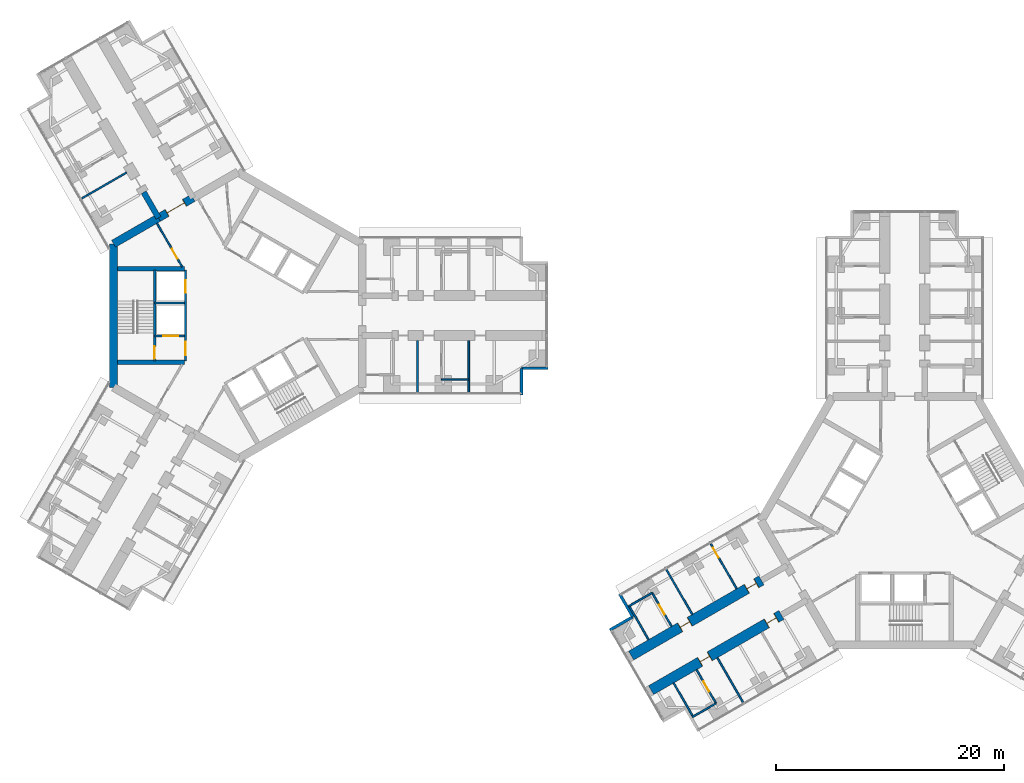
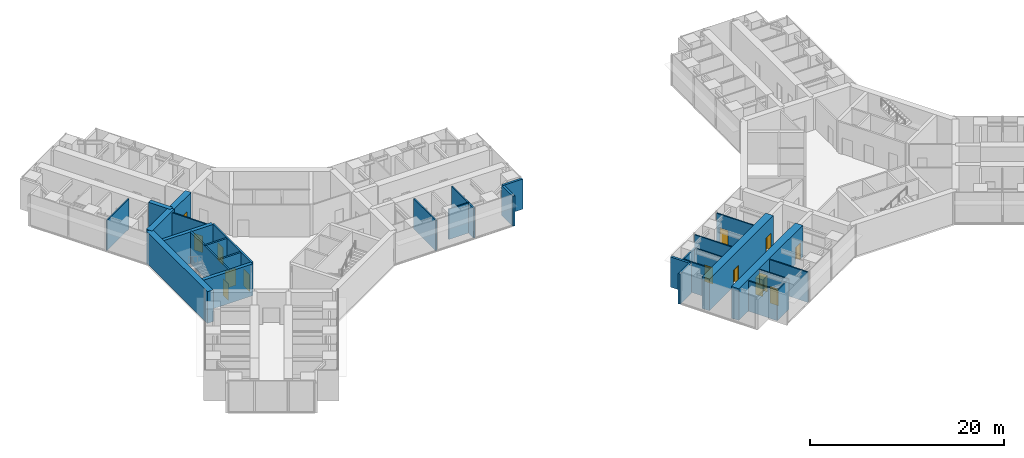
# One storey, part 17 of 24: 30 walls, 13 doors, 13 openings.
"""IFC4 building model written with IfcOpenShell, lengths in metres."""

from ifc_helpers import new_model, si_unit, direction, frame, frame_2d, origin, place, context, subcontext, project, spatial, rectangle, extrude, material, layer, layer_set, type_object, element, fill, save


model = new_model("IFC4")

# Units and contexts
model_context = context("Model", 3, precision=1e-05, world=origin(), true_north=direction((0.0, 1.0)))
body_context = subcontext(model_context, "Body", "Model", "MODEL_VIEW")
ifc_project = project(units=[si_unit("LENGTHUNIT", "METRE"), si_unit("AREAUNIT", "SQUARE_METRE"), si_unit("VOLUMEUNIT", "CUBIC_METRE"), si_unit("PLANEANGLEUNIT", "RADIAN"), si_unit("MASSUNIT", "GRAM", prefix="KILO")], contexts=[model_context])

# Site, building, storey
site_placement = place(None, origin())
site = spatial("IfcSite", under=ifc_project, at=site_placement, CompositionType="ELEMENT")
building_placement = place(site_placement, origin())
building = spatial("IfcBuilding", under=site, at=building_placement, Name="Upepo Twin Towers", CompositionType="ELEMENT")
storey_placement = place(building_placement, frame((0.0, 0.0, 60.5)))
storey = spatial("IfcBuildingStorey", under=building, at=storey_placement, Name="L14", CompositionType="ELEMENT", Elevation=60.5)

# Wall
ifc_material_1 = material(Name="Concrete C60/75", Category="concrete")
ifc_layer_1 = layer(ifc_material_1, 0.5)
ifc_layer_set_1 = layer_set([ifc_layer_1], Name="Concrete C60/75")
wall_type_1 = type_object("IfcWallType", Name="Buttress wall 500 RC", PredefinedType="SHEAR", material=ifc_layer_set_1)
wall_1_placement = place(storey_placement, frame((-6.9697265625, 8.57177734375, 0.0), z_axis=(0.0, 0.0, 1.0), x_axis=(-0.499988811324, 0.866031863473, 0.0)))
element("IfcWall", 1, at=wall_1_placement, inside=storey, type_object=wall_type_1, Name="T1 wing B buttress wall L", PredefinedType="SHEAR", context=body_context, shape_type="SweptSolid", body=[
    extrude(rectangle(XDim=2.591796875, YDim=0.5, at=frame_2d((1.2958984375, 0.0))), origin(), (0.0, 0.0, 1.0), 4.0),
])

# Wall, openings, doors
ifc_material_2 = material(Name="Concrete C60/75", Category="concrete")
ifc_layer_2 = layer(ifc_material_2, 0.89990234375)
ifc_layer_set_2 = layer_set([ifc_layer_2], Name="Concrete C60/75")
wall_type_2 = type_object("IfcWallType", Name="Buttress wall 900 RC", PredefinedType="SHEAR", material=ifc_layer_set_2)
wall_2_placement = place(storey_placement, frame((47.68359375, -26.265625, 0.0), z_axis=(0.0, 0.0, 1.0), x_axis=(-0.866027579429, -0.499996231654, 0.0)))
wall_2 = element("IfcWall", 2, at=wall_2_placement, inside=storey, type_object=wall_type_2, Name="T2 wing B buttress wall L part 2", PredefinedType="SHEAR", context=body_context, shape_type="SweptSolid", body=[
    extrude(rectangle(XDim=13.19970703125, YDim=0.89990234375, at=frame_2d((6.599853515625, 0.0))), origin(), (0.0, 0.0, 1.0), 4.0),
])
opening_1_placement = place(wall_2_placement, frame((0.5, 0.0, 0.0)))
opening_1 = element("IfcOpeningElement", 3, at=opening_1_placement, cuts=wall_2, Name="Opening D1", PredefinedType="OPENING", context=body_context, shape_type="SweptSolid", body=[
    extrude(rectangle(XDim=1.0, YDim=2.10009765625, at=frame_2d((0.5, 1.050048828125))), frame((0.0, 0.4599609375, 0.0), z_axis=(0.0, -1.0, 0.0), x_axis=(1.0, 0.0, 0.0)), (0.0, 0.0, 1.0), 0.919921875),
])
opening_2_placement = place(wall_2_placement, frame((7.25, 0.0, 0.0)))
opening_2 = element("IfcOpeningElement", 4, at=opening_2_placement, cuts=wall_2, Name="Opening D1", PredefinedType="OPENING", context=body_context, shape_type="SweptSolid", body=[
    extrude(rectangle(XDim=1.0, YDim=2.10009765625, at=frame_2d((0.5, 1.050048828125))), frame((0.0, 0.4599609375, 0.0), z_axis=(0.0, -1.0, 0.0), x_axis=(1.0, 0.0, 0.0)), (0.0, 0.0, 1.0), 0.919921875),
])
ifc_material_3 = material(Name="Timber doorset", Category="wood")
door_type_1 = type_object("IfcDoorType", Name="Room door 1000 FD30", OperationType="SINGLE_SWING_LEFT", PredefinedType="DOOR", material=ifc_material_3)
door_1_placement = place(opening_1_placement, origin())
door_1 = element("IfcDoor", 5, at=door_1_placement, inside=storey, type_object=door_type_1, Name="T2 L14 tutorial room door", OperationType="SINGLE_SWING_LEFT", OverallHeight=2.10009765625, OverallWidth=1.0, PredefinedType="DOOR", context=body_context, shape_type="SweptSolid", body=[
    extrude(rectangle(XDim=0.92, YDim=2.06009765625, at=frame_2d((0.5, 1.030029296875))), frame((0.0, 0.02490234375, 0.0), z_axis=(0.0, -1.0, 0.0), x_axis=(1.0, 0.0, 0.0)), (0.0, 0.0, 1.0), 0.050048828125),
    extrude(rectangle(XDim=0.04, YDim=2.10009765625, at=frame_2d((0.02001953125, 1.050048828125))), frame((0.0, 0.44970703125, 0.0), z_axis=(0.0, -1.0, 0.0), x_axis=(1.0, 0.0, 0.0)), (0.0, 0.0, 1.0), 0.8994140625),
    extrude(rectangle(XDim=0.04, YDim=2.10009765625, at=frame_2d((0.97998046875, 1.050048828125))), frame((0.0, 0.44970703125, 0.0), z_axis=(0.0, -1.0, 0.0), x_axis=(1.0, 0.0, 0.0)), (0.0, 0.0, 1.0), 0.8994140625),
    extrude(rectangle(XDim=0.92, YDim=0.04, at=frame_2d((0.5, 2.080078125))), frame((0.0, 0.44970703125, 0.0), z_axis=(0.0, -1.0, 0.0), x_axis=(1.0, 0.0, 0.0)), (0.0, 0.0, 1.0), 0.8994140625),
])
fill(opening_1, door_1)
door_2_placement = place(opening_2_placement, origin())
door_2 = element("IfcDoor", 6, at=door_2_placement, inside=storey, type_object=door_type_1, Name="T2 L14 seminar room door", OperationType="SINGLE_SWING_RIGHT", OverallHeight=2.10009765625, OverallWidth=1.0, PredefinedType="DOOR", context=body_context, shape_type="SweptSolid", body=[
    extrude(rectangle(XDim=0.92, YDim=2.06009765625, at=frame_2d((0.5, 1.030029296875))), frame((0.0, 0.02490234375, 0.0), z_axis=(0.0, -1.0, 0.0), x_axis=(1.0, 0.0, 0.0)), (0.0, 0.0, 1.0), 0.050048828125),
    extrude(rectangle(XDim=0.04, YDim=2.10009765625, at=frame_2d((0.02001953125, 1.050048828125))), frame((0.0, 0.44970703125, 0.0), z_axis=(0.0, -1.0, 0.0), x_axis=(1.0, 0.0, 0.0)), (0.0, 0.0, 1.0), 0.8994140625),
    extrude(rectangle(XDim=0.04, YDim=2.10009765625, at=frame_2d((0.97998046875, 1.050048828125))), frame((0.0, 0.44970703125, 0.0), z_axis=(0.0, -1.0, 0.0), x_axis=(1.0, 0.0, 0.0)), (0.0, 0.0, 1.0), 0.8994140625),
    extrude(rectangle(XDim=0.92, YDim=0.04, at=frame_2d((0.5, 2.080078125))), frame((0.0, 0.44970703125, 0.0), z_axis=(0.0, -1.0, 0.0), x_axis=(1.0, 0.0, 0.0)), (0.0, 0.0, 1.0), 0.8994140625),
])
fill(opening_2, door_2)

wall_3_placement = place(storey_placement, frame((45.93359375, -23.234375, 0.0), z_axis=(0.0, 0.0, 1.0), x_axis=(-0.866019570528, -0.500010103361, 0.0)))
wall_3 = element("IfcWall", 7, at=wall_3_placement, inside=storey, type_object=wall_type_2, Name="T2 wing B buttress wall R part 2", PredefinedType="SHEAR", context=body_context, shape_type="SweptSolid", body=[
    extrude(rectangle(XDim=13.199951171875, YDim=0.89990234375, at=frame_2d((6.60009765625, 0.0))), origin(), (0.0, 0.0, 1.0), 4.0),
])
opening_3_placement = place(wall_3_placement, frame((0.5, 0.0, 0.0)))
opening_3 = element("IfcOpeningElement", 8, at=opening_3_placement, cuts=wall_3, Name="Opening D1", PredefinedType="OPENING", context=body_context, shape_type="SweptSolid", body=[
    extrude(rectangle(XDim=1.0, YDim=2.10009765625, at=frame_2d((0.5, 1.050048828125))), frame((0.0, 0.4599609375, 0.0), z_axis=(0.0, -1.0, 0.0), x_axis=(1.0, 0.0, 0.0)), (0.0, 0.0, 1.0), 0.919921875),
])
opening_4_placement = place(wall_3_placement, frame((7.25, 0.0, 0.0)))
opening_4 = element("IfcOpeningElement", 9, at=opening_4_placement, cuts=wall_3, Name="Opening D1", PredefinedType="OPENING", context=body_context, shape_type="SweptSolid", body=[
    extrude(rectangle(XDim=1.0, YDim=2.10009765625, at=frame_2d((0.5, 1.050048828125))), frame((0.0, 0.4599609375, 0.0), z_axis=(0.0, -1.0, 0.0), x_axis=(1.0, 0.0, 0.0)), (0.0, 0.0, 1.0), 0.919921875),
])
door_3_placement = place(opening_3_placement, origin())
door_3 = element("IfcDoor", 10, at=door_3_placement, inside=storey, type_object=door_type_1, Name="T2 L14 tutorial room door", OperationType="SINGLE_SWING_LEFT", OverallHeight=2.10009765625, OverallWidth=1.0, PredefinedType="DOOR", context=body_context, shape_type="SweptSolid", body=[
    extrude(rectangle(XDim=0.92, YDim=2.06009765625, at=frame_2d((0.5, 1.030029296875))), frame((0.0, 0.02490234375, 0.0), z_axis=(0.0, -1.0, 0.0), x_axis=(1.0, 0.0, 0.0)), (0.0, 0.0, 1.0), 0.050048828125),
    extrude(rectangle(XDim=0.04, YDim=2.10009765625, at=frame_2d((0.02001953125, 1.050048828125))), frame((0.0, 0.44970703125, 0.0), z_axis=(0.0, -1.0, 0.0), x_axis=(1.0, 0.0, 0.0)), (0.0, 0.0, 1.0), 0.8994140625),
    extrude(rectangle(XDim=0.04, YDim=2.10009765625, at=frame_2d((0.97998046875, 1.050048828125))), frame((0.0, 0.44970703125, 0.0), z_axis=(0.0, -1.0, 0.0), x_axis=(1.0, 0.0, 0.0)), (0.0, 0.0, 1.0), 0.8994140625),
    extrude(rectangle(XDim=0.92, YDim=0.04, at=frame_2d((0.5, 2.080078125))), frame((0.0, 0.44970703125, 0.0), z_axis=(0.0, -1.0, 0.0), x_axis=(1.0, 0.0, 0.0)), (0.0, 0.0, 1.0), 0.8994140625),
])
fill(opening_3, door_3)
door_4_placement = place(opening_4_placement, origin())
door_4 = element("IfcDoor", 11, at=door_4_placement, inside=storey, type_object=door_type_1, Name="T2 L14 staff office door", OperationType="SINGLE_SWING_RIGHT", OverallHeight=2.10009765625, OverallWidth=1.0, PredefinedType="DOOR", context=body_context, shape_type="SweptSolid", body=[
    extrude(rectangle(XDim=0.92, YDim=2.06009765625, at=frame_2d((0.5, 1.030029296875))), frame((0.0, 0.02490234375, 0.0), z_axis=(0.0, -1.0, 0.0), x_axis=(1.0, 0.0, 0.0)), (0.0, 0.0, 1.0), 0.050048828125),
    extrude(rectangle(XDim=0.04, YDim=2.10009765625, at=frame_2d((0.02001953125, 1.050048828125))), frame((0.0, 0.44970703125, 0.0), z_axis=(0.0, -1.0, 0.0), x_axis=(1.0, 0.0, 0.0)), (0.0, 0.0, 1.0), 0.8994140625),
    extrude(rectangle(XDim=0.04, YDim=2.10009765625, at=frame_2d((0.97998046875, 1.050048828125))), frame((0.0, 0.44970703125, 0.0), z_axis=(0.0, -1.0, 0.0), x_axis=(1.0, 0.0, 0.0)), (0.0, 0.0, 1.0), 0.8994140625),
    extrude(rectangle(XDim=0.92, YDim=0.04, at=frame_2d((0.5, 2.080078125))), frame((0.0, 0.44970703125, 0.0), z_axis=(0.0, -1.0, 0.0), x_axis=(1.0, 0.0, 0.0)), (0.0, 0.0, 1.0), 0.8994140625),
])
fill(opening_4, door_4)

# Wall, opening, door
ifc_material_4 = material(Name="Concrete C60/75", Category="concrete")
ifc_layer_3 = layer(ifc_material_4, 0.699951171875)
ifc_layer_set_3 = layer_set([ifc_layer_3], Name="Concrete C60/75")
wall_type_3 = type_object("IfcWallType", Name="Core wall 700 RC", PredefinedType="SHEAR", material=ifc_layer_set_3)
wall_4_placement = place(storey_placement, frame((-3.938720703125, 10.32177734375, 0.0), z_axis=(0.0, 0.0, 1.0), x_axis=(-0.866019471182, -0.500010275428, 0.0)))
wall_4 = element("IfcWall", 12, at=wall_4_placement, inside=storey, type_object=wall_type_3, Name="T1 core wall 120", PredefinedType="SHEAR", context=body_context, shape_type="SweptSolid", body=[
    extrude(rectangle(XDim=3.5, YDim=0.699951171875, at=frame_2d((1.75, 0.0))), origin(), (0.0, 0.0, 1.0), 4.0),
])
opening_5_placement = place(wall_4_placement, frame((0.85009765625, 0.0, 0.0)))
opening_5 = element("IfcOpeningElement", 13, at=opening_5_placement, cuts=wall_4, Name="Opening D2", PredefinedType="OPENING", context=body_context, shape_type="SweptSolid", body=[
    extrude(rectangle(XDim=1.800048828125, YDim=2.10009765625, at=frame_2d((0.89990234375, 1.050048828125))), frame((0.0, 0.35986328125, 0.0), z_axis=(0.0, -1.0, 0.0), x_axis=(1.0, 0.0, 0.0)), (0.0, 0.0, 1.0), 0.719970703125),
])
ifc_material_5 = material(Name="Timber doorset", Category="wood")
door_type_2 = type_object("IfcDoorType", Name="Corridor double door 1800 FD60", OperationType="DOUBLE_DOOR_DOUBLE_SWING", PredefinedType="DOOR", material=ifc_material_5)
door_5_placement = place(opening_5_placement, origin())
door_5 = element("IfcDoor", 14, at=door_5_placement, inside=storey, type_object=door_type_2, Name="T1 L14 wing B corridor door", OperationType="DOUBLE_DOOR_DOUBLE_SWING", OverallHeight=2.10009765625, OverallWidth=1.800048828125, PredefinedType="DOOR", context=body_context, shape_type="SweptSolid", body=[
    extrude(rectangle(XDim=1.720048828125, YDim=2.06009765625, at=frame_2d((0.89990234375, 1.030029296875))), frame((0.0, 0.02490234375, 0.0), z_axis=(0.0, -1.0, 0.0), x_axis=(1.0, 0.0, 0.0)), (0.0, 0.0, 1.0), 0.050048828125),
    extrude(rectangle(XDim=0.04, YDim=2.10009765625, at=frame_2d((0.02001953125, 1.050048828125))), frame((0.0, 0.349609375, 0.0), z_axis=(0.0, -1.0, 0.0), x_axis=(1.0, 0.0, 0.0)), (0.0, 0.0, 1.0), 0.699462890625),
    extrude(rectangle(XDim=0.04, YDim=2.10009765625, at=frame_2d((1.780029296875, 1.050048828125))), frame((0.0, 0.349609375, 0.0), z_axis=(0.0, -1.0, 0.0), x_axis=(1.0, 0.0, 0.0)), (0.0, 0.0, 1.0), 0.699462890625),
    extrude(rectangle(XDim=1.720048828125, YDim=0.04, at=frame_2d((0.89990234375, 2.080078125))), frame((0.0, 0.349609375, 0.0), z_axis=(0.0, -1.0, 0.0), x_axis=(1.0, 0.0, 0.0)), (0.0, 0.0, 1.0), 0.699462890625),
])
fill(opening_5, door_5)

# Walls
wall_5_placement = place(storey_placement, frame((-6.9697265625, 8.57177734375, 0.0), z_axis=(0.0, 0.0, 1.0), x_axis=(-0.866034513004, -0.499984222037, 0.0)))
element("IfcWall", 15, at=wall_5_placement, inside=storey, type_object=wall_type_3, Name="T1 core wall 120 L", PredefinedType="SHEAR", context=body_context, shape_type="SweptSolid", body=[
    extrude(rectangle(XDim=4.548095703125, YDim=0.699951171875, at=frame_2d((2.27392578125, 0.0))), origin(), (0.0, 0.0, 1.0), 4.0),
])
wall_6_placement = place(storey_placement, frame((-10.908447265625, 6.2978515625, 0.0), z_axis=(0.0, 0.0, 1.0), x_axis=(0.0, -1.0, 0.0)))
element("IfcWall", 16, at=wall_6_placement, inside=storey, type_object=wall_type_3, Name="T1 core wall 180", PredefinedType="SHEAR", context=body_context, shape_type="SweptSolid", body=[
    extrude(rectangle(XDim=12.595703125, YDim=0.699951171875, at=frame_2d((6.2978515625, 0.0))), origin(), (0.0, 0.0, 1.0), 4.0),
])
ifc_material_6 = material(Name="Blockwork with anodised aluminium cladding", Category="masonry")
ifc_layer_4 = layer(ifc_material_6, 0.25)
ifc_layer_set_4 = layer_set([ifc_layer_4], Name="Notch cladding wall 250, pale metal")
wall_type_4 = type_object("IfcWallType", Name="Notch cladding wall 250, pale metal", PredefinedType="STANDARD", material=ifc_layer_set_4)
for number, where, z_axis, x_axis, name in (
    (17, (24.875, -6.949951171875, 0.0), (0.0, 0.0, 1.0), (0.0, 1.0, 0.0), "T1 L14 wing A notch wall R1"),
    (18, (24.875, -4.625, 0.0), (0.0, 0.0, 1.0), (1.0, 0.0, 0.0), "T1 L14 wing A notch wall R2"),
    (19, (33.482666015625, -24.418701171875, 0.0), (0.0, 0.0, 1.0), (0.499967891604, -0.866043940782, 0.0), "T2 L14 wing B notch wall R1"),
    (20, (34.64501953125, -26.43212890625, 0.0), (0.0, 0.0, 1.0), (-0.865998469481, -0.500046648681, 0.0), "T2 L14 wing B notch wall R2"),
):
    element("IfcWall", number, at=place(storey_placement, frame(where, z_axis=z_axis, x_axis=x_axis)), inside=storey, type_object=wall_type_4, Name=name, PredefinedType="STANDARD", context=body_context, shape_type="SweptSolid", body=[
        extrude(rectangle(XDim=2.324951171875, YDim=0.25, at=frame_2d((1.16259765625, 0.0))), origin(), (0.0, 0.0, 1.0), 3.800048828125),
    ])

# Wall, openings, doors
ifc_material_7 = material(Name="Concrete C40/50", Category="concrete")
ifc_layer_5 = layer(ifc_material_7, 0.199951171875)
ifc_layer_set_5 = layer_set([ifc_layer_5], Name="Concrete C40/50")
wall_type_5 = type_object("IfcWallType", Name="Shaft wall 200 RC", PredefinedType="SHEAR", material=ifc_layer_set_5)
wall_7_placement = place(storey_placement, frame((-4.60009765625, 4.0, 0.0), z_axis=(0.0, 0.0, 1.0), x_axis=(0.0, -1.0, 0.0)))
wall_7 = element("IfcWall", 21, at=wall_7_placement, inside=storey, type_object=wall_type_5, Name="T1 core W180 front wall", PredefinedType="SHEAR", context=body_context, shape_type="SweptSolid", body=[
    extrude(rectangle(XDim=8.0, YDim=0.199951171875, at=frame_2d((4.0, 0.0))), origin(), (0.0, 0.0, 1.0), 4.0),
])
opening_6_placement = place(wall_7_placement, frame((6.300048828125, 0.0, 0.0)))
opening_6 = element("IfcOpeningElement", 22, at=opening_6_placement, cuts=wall_7, Name="Opening D4", PredefinedType="OPENING", context=body_context, shape_type="SweptSolid", body=[
    extrude(rectangle(XDim=1.199951171875, YDim=2.10009765625, at=frame_2d((0.60009765625, 1.050048828125))), frame((0.0, 0.10986328125, 0.0), z_axis=(0.0, -1.0, 0.0), x_axis=(1.0, 0.0, 0.0)), (0.0, 0.0, 1.0), 0.219970703125),
])
opening_7_placement = place(wall_7_placement, frame((0.89990234375, 0.0, 0.0)))
opening_7 = element("IfcOpeningElement", 23, at=opening_7_placement, cuts=wall_7, Name="Opening LD1", PredefinedType="OPENING", context=body_context, shape_type="SweptSolid", body=[
    extrude(rectangle(XDim=1.10009765625, YDim=2.199951171875, at=frame_2d((0.550048828125, 1.10009765625))), frame((0.0, 0.10986328125, 0.0), z_axis=(0.0, -1.0, 0.0), x_axis=(1.0, 0.0, 0.0)), (0.0, 0.0, 1.0), 0.219970703125),
])
ifc_material_8 = material(Name="Steel doorset", Category="steel")
door_type_3 = type_object("IfcDoorType", Name="Lift landing door 1100", OperationType="DOUBLE_DOOR_SLIDING", PredefinedType="DOOR", material=ifc_material_8)
door_6_placement = place(opening_7_placement, origin())
door_6 = element("IfcDoor", 24, at=door_6_placement, inside=storey, type_object=door_type_3, Name="T1 L14 lift SV1 landing door", OperationType="DOUBLE_DOOR_SLIDING", OverallHeight=2.199951171875, OverallWidth=1.10009765625, PredefinedType="DOOR", context=body_context, shape_type="SweptSolid", body=[
    extrude(rectangle(XDim=1.10009765625, YDim=2.199951171875, at=frame_2d((0.550048828125, 1.10009765625))), frame((0.0, 0.02490234375, 0.0), z_axis=(0.0, -1.0, 0.0), x_axis=(1.0, 0.0, 0.0)), (0.0, 0.0, 1.0), 0.050048828125),
])
fill(opening_7, door_6)
ifc_material_9 = material(Name="Timber doorset", Category="wood")
door_type_4 = type_object("IfcDoorType", Name="Lobby door 1200 FD60", OperationType="SINGLE_SWING_LEFT", PredefinedType="DOOR", material=ifc_material_9)
door_7_placement = place(opening_6_placement, origin())
door_7 = element("IfcDoor", 25, at=door_7_placement, inside=storey, type_object=door_type_4, Name="T1 L14 W180 lobby door", OperationType="SINGLE_SWING_RIGHT", OverallHeight=2.10009765625, OverallWidth=1.199951171875, PredefinedType="DOOR", context=body_context, shape_type="SweptSolid", body=[
    extrude(rectangle(XDim=1.199951171875, YDim=2.10009765625, at=frame_2d((0.60009765625, 1.050048828125))), frame((0.0, 0.02490234375, 0.0), z_axis=(0.0, -1.0, 0.0), x_axis=(1.0, 0.0, 0.0)), (0.0, 0.0, 1.0), 0.050048828125),
])
fill(opening_6, door_7)

# Wall
wall_8_placement = place(storey_placement, frame((-4.699951171875, 1.10009765625, 0.0), z_axis=(0.0, 0.0, 1.0), x_axis=(-1.0, 0.0, 0.0)))
element("IfcWall", 26, at=wall_8_placement, inside=storey, type_object=wall_type_5, Name="T1 core W180 shaft divider", PredefinedType="SHEAR", context=body_context, shape_type="SweptSolid", body=[
    extrude(rectangle(XDim=2.60009765625, YDim=0.199951171875, at=frame_2d((1.300048828125, 0.0))), origin(), (0.0, 0.0, 1.0), 4.0),
])

# Wall, opening, door
wall_9_placement = place(storey_placement, frame((-4.699951171875, -1.800048828125, 0.0), z_axis=(0.0, 0.0, 1.0), x_axis=(-1.0, 0.0, 0.0)))
wall_9 = element("IfcWall", 27, at=wall_9_placement, inside=storey, type_object=wall_type_5, Name="T1 core W180 lobby wall", PredefinedType="SHEAR", context=body_context, shape_type="SweptSolid", body=[
    extrude(rectangle(XDim=2.60009765625, YDim=0.199951171875, at=frame_2d((1.300048828125, 0.0))), origin(), (0.0, 0.0, 1.0), 4.0),
])
opening_8_placement = place(wall_9_placement, frame((0.550048828125, 0.0, 0.0)))
opening_8 = element("IfcOpeningElement", 28, at=opening_8_placement, cuts=wall_9, Name="Opening LD2", PredefinedType="OPENING", context=body_context, shape_type="SweptSolid", body=[
    extrude(rectangle(XDim=1.300048828125, YDim=2.199951171875, at=frame_2d((0.64990234375, 1.10009765625))), frame((0.0, 0.10986328125, 0.0), z_axis=(0.0, -1.0, 0.0), x_axis=(1.0, 0.0, 0.0)), (0.0, 0.0, 1.0), 0.219970703125),
])
ifc_material_10 = material(Name="Steel doorset", Category="steel")
door_type_5 = type_object("IfcDoorType", Name="Firefighting lift landing door 1300", OperationType="DOUBLE_DOOR_SLIDING", PredefinedType="DOOR", material=ifc_material_10)
door_8_placement = place(opening_8_placement, origin())
door_8 = element("IfcDoor", 29, at=door_8_placement, inside=storey, type_object=door_type_5, Name="T1 L14 firefighting lift landing door", OperationType="DOUBLE_DOOR_SLIDING", OverallHeight=2.199951171875, OverallWidth=1.300048828125, PredefinedType="DOOR", context=body_context, shape_type="SweptSolid", body=[
    extrude(rectangle(XDim=1.300048828125, YDim=2.199951171875, at=frame_2d((0.64990234375, 1.10009765625))), frame((0.0, 0.02490234375, 0.0), z_axis=(0.0, -1.0, 0.0), x_axis=(1.0, 0.0, 0.0)), (0.0, 0.0, 1.0), 0.050048828125),
])
fill(opening_8, door_8)

wall_10_placement = place(storey_placement, frame((-7.300048828125, 4.0, 0.0), z_axis=(0.0, 0.0, 1.0), x_axis=(0.0, -1.0, 0.0)))
wall_10 = element("IfcWall", 30, at=wall_10_placement, inside=storey, type_object=wall_type_5, Name="T1 core W180 stair wall", PredefinedType="SHEAR", context=body_context, shape_type="SweptSolid", body=[
    extrude(rectangle(XDim=8.0, YDim=0.199951171875, at=frame_2d((4.0, 0.0))), origin(), (0.0, 0.0, 1.0), 4.0),
])
opening_9_placement = place(wall_10_placement, frame((6.699951171875, 0.0, 0.0)))
opening_9 = element("IfcOpeningElement", 31, at=opening_9_placement, cuts=wall_10, Name="Opening D3", PredefinedType="OPENING", context=body_context, shape_type="SweptSolid", body=[
    extrude(rectangle(XDim=1.10009765625, YDim=2.10009765625, at=frame_2d((0.550048828125, 1.050048828125))), frame((0.0, 0.10986328125, 0.0), z_axis=(0.0, -1.0, 0.0), x_axis=(1.0, 0.0, 0.0)), (0.0, 0.0, 1.0), 0.219970703125),
])
ifc_material_11 = material(Name="Timber doorset", Category="wood")
door_type_6 = type_object("IfcDoorType", Name="Stair door 1100 FD60", OperationType="SINGLE_SWING_LEFT", PredefinedType="DOOR", material=ifc_material_11)
door_9_placement = place(opening_9_placement, origin())
door_9 = element("IfcDoor", 32, at=door_9_placement, inside=storey, type_object=door_type_6, Name="T1 L14 stair door", OperationType="SINGLE_SWING_RIGHT", OverallHeight=2.10009765625, OverallWidth=1.10009765625, PredefinedType="DOOR", context=body_context, shape_type="SweptSolid", body=[
    extrude(rectangle(XDim=1.10009765625, YDim=2.10009765625, at=frame_2d((0.550048828125, 1.050048828125))), frame((0.0, 0.02490234375, 0.0), z_axis=(0.0, -1.0, 0.0), x_axis=(1.0, 0.0, 0.0)), (0.0, 0.0, 1.0), 0.050048828125),
])
fill(opening_9, door_9)

# Walls
ifc_material_12 = material(Name="Concrete C40/50", Category="concrete")
ifc_layer_6 = layer(ifc_material_12, 0.39990234375)
ifc_layer_set_6 = layer_set([ifc_layer_6], Name="Concrete C40/50")
wall_type_6 = type_object("IfcWallType", Name="Shaft wall 400 RC", PredefinedType="SHEAR", material=ifc_layer_set_6)
for number, where, z_axis, x_axis, name in (
    (33, (-4.699951171875, -4.10009765625, 0.0), (0.0, 0.0, 1.0), (-1.0, 0.0, 0.0), "T1 core W180 side wall N"),
    (34, (-4.699951171875, 4.10009765625, 0.0), (0.0, 0.0, 1.0), (-1.0, 0.0, 0.0), "T1 core W180 side wall S"),
):
    element("IfcWall", number, at=place(storey_placement, frame(where, z_axis=z_axis, x_axis=x_axis)), inside=storey, type_object=wall_type_6, Name=name, PredefinedType="SHEAR", context=body_context, shape_type="SweptSolid", body=[
        extrude(rectangle(XDim=5.8583984375, YDim=0.39990234375, at=frame_2d((2.92919921875, 0.0))), origin(), (0.0, 0.0, 1.0), 4.0),
    ])
ifc_material_13 = material(Name="Gypsum board on steel studs", Category="steel")
ifc_layer_7 = layer(ifc_material_13, 0.14990234375)
ifc_layer_set_7 = layer_set([ifc_layer_7], Name="Teaching partition 150 acoustic")
wall_type_7 = type_object("IfcWallType", Name="Teaching partition 150 acoustic", PredefinedType="PARTITIONING", material=ifc_layer_set_7)
for number, where, z_axis, x_axis, name in (
    (35, (15.75, -2.199951171875, 0.0), (0.0, 0.0, 1.0), (0.0, -1.0, 0.0), "T1 partition AR at 15.75"),
    (36, (20.25, -2.199951171875, 0.0), (0.0, 0.0, 1.0), (0.0, -1.0, 0.0), "T1 partition AR at 20.25"),
):
    element("IfcWall", number, at=place(storey_placement, frame(where, z_axis=z_axis, x_axis=x_axis)), inside=storey, type_object=wall_type_7, Name=name, PredefinedType="PARTITIONING", context=body_context, shape_type="SweptSolid", body=[
        extrude(rectangle(XDim=4.550048828125, YDim=0.14990234375, at=frame_2d((2.27490234375, 0.0))), origin(), (0.0, 0.0, 1.0), 3.800048828125),
    ])
wall_11_placement = place(storey_placement, frame((17.85009765625, -5.60009765625, 0.0), z_axis=(0.0, 0.0, 1.0), x_axis=(1.0, 0.0, 0.0)))
element("IfcWall", 37, at=wall_11_placement, inside=storey, type_object=wall_type_7, Name="T1 inner room partition AR at 17.85", PredefinedType="PARTITIONING", context=body_context, shape_type="SweptSolid", body=[
    extrude(rectangle(XDim=2.39990234375, YDim=0.14990234375, at=frame_2d((1.199951171875, 0.0))), origin(), (0.0, 0.0, 1.0), 3.800048828125),
])
wall_12_placement = place(storey_placement, frame((-9.7802734375, 12.539794921875, 0.0), z_axis=(0.0, 0.0, 1.0), x_axis=(-0.866035472144, -0.499982560684, 0.0)))
element("IfcWall", 38, at=wall_12_placement, inside=storey, type_object=wall_type_7, Name="T1 partition BL at 15.75", PredefinedType="PARTITIONING", context=body_context, shape_type="SweptSolid", body=[
    extrude(rectangle(XDim=4.550048828125, YDim=0.14990234375, at=frame_2d((2.27490234375, 0.0))), origin(), (0.0, 0.0, 1.0), 3.800048828125),
])

# Wall, opening, door
wall_13_placement = place(storey_placement, frame((-4.889892578125, 4.269775390625, 0.0), z_axis=(0.0, 0.0, 1.0), x_axis=(-0.500007369519, 0.866021148949, 0.0)))
wall_13 = element("IfcWall", 39, at=wall_13_placement, inside=storey, type_object=wall_type_7, Name="T1 core room partition 3", PredefinedType="PARTITIONING", context=body_context, shape_type="SweptSolid", body=[
    extrude(rectangle(XDim=4.42578125, YDim=0.14990234375, at=frame_2d((2.212890625, 0.0))), origin(), (0.0, 0.0, 1.0), 3.800048828125),
])
opening_10_placement = place(wall_13_placement, frame((0.82763671875, 0.0, 0.0)))
opening_10 = element("IfcOpeningElement", 40, at=opening_10_placement, cuts=wall_13, Name="Opening D1", PredefinedType="OPENING", context=body_context, shape_type="SweptSolid", body=[
    extrude(rectangle(XDim=1.0, YDim=2.10009765625, at=frame_2d((0.5, 1.050048828125))), frame((0.0, 0.0849609375, 0.0), z_axis=(0.0, -1.0, 0.0), x_axis=(1.0, 0.0, 0.0)), (0.0, 0.0, 1.0), 0.169921875),
])
door_10_placement = place(opening_10_placement, origin())
door_10 = element("IfcDoor", 41, at=door_10_placement, inside=storey, type_object=door_type_1, Name="T1 L14 core room door K7", OperationType="SINGLE_SWING_LEFT", OverallHeight=2.10009765625, OverallWidth=1.0, PredefinedType="DOOR", context=body_context, shape_type="SweptSolid", body=[
    extrude(rectangle(XDim=1.0, YDim=2.10009765625, at=frame_2d((0.5, 1.050048828125))), frame((0.0, 0.02490234375, 0.0), z_axis=(0.0, -1.0, 0.0), x_axis=(1.0, 0.0, 0.0)), (0.0, 0.0, 1.0), 0.050048828125),
])
fill(opening_10, door_10)

# Walls
wall_14_placement = place(storey_placement, frame((42.06298828125, -30.0302734375, 0.0), z_axis=(0.0, 0.0, 1.0), x_axis=(0.499982560684, -0.866035472144, 0.0)))
element("IfcWall", 42, at=wall_14_placement, inside=storey, type_object=wall_type_7, Name="T2 partition BL at 20.25", PredefinedType="PARTITIONING", context=body_context, shape_type="SweptSolid", body=[
    extrude(rectangle(XDim=4.550048828125, YDim=0.14990234375, at=frame_2d((2.27490234375, 0.0))), origin(), (0.0, 0.0, 1.0), 3.800048828125),
])
wall_15_placement = place(storey_placement, frame((41.9443359375, -34.024658203125, 0.0), z_axis=(0.0, 0.0, 1.0), x_axis=(-0.865980596518, -0.500077600433, 0.0)))
element("IfcWall", 43, at=wall_15_placement, inside=storey, type_object=wall_type_7, Name="T2 inner room partition BL at 22.35", PredefinedType="PARTITIONING", context=body_context, shape_type="SweptSolid", body=[
    extrude(rectangle(XDim=2.39990234375, YDim=0.14990234375, at=frame_2d((1.199951171875, 0.0))), origin(), (0.0, 0.0, 1.0), 3.800048828125),
])

# Wall, opening, door
wall_16_placement = place(storey_placement, frame((40.244384765625, -31.080322265625, 0.0), z_axis=(0.0, 0.0, 1.0), x_axis=(0.500008388397, -0.866020560687, 0.0)))
wall_16 = element("IfcWall", 44, at=wall_16_placement, inside=storey, type_object=wall_type_7, Name="T2 inner room partition BL end at 22.35", PredefinedType="PARTITIONING", context=body_context, shape_type="SweptSolid", body=[
    extrude(rectangle(XDim=3.39990234375, YDim=0.14990234375, at=frame_2d((1.699951171875, 0.0))), origin(), (0.0, 0.0, 1.0), 3.800048828125),
])
opening_11_placement = place(wall_16_placement, frame((1.199951171875, 0.0, 0.0)))
opening_11 = element("IfcOpeningElement", 45, at=opening_11_placement, cuts=wall_16, Name="Opening D1", PredefinedType="OPENING", context=body_context, shape_type="SweptSolid", body=[
    extrude(rectangle(XDim=1.0, YDim=2.10009765625, at=frame_2d((0.5, 1.050048828125))), frame((0.0, 0.0849609375, 0.0), z_axis=(0.0, -1.0, 0.0), x_axis=(1.0, 0.0, 0.0)), (0.0, 0.0, 1.0), 0.169921875),
])
door_11_placement = place(opening_11_placement, origin())
door_11 = element("IfcDoor", 46, at=door_11_placement, inside=storey, type_object=door_type_1, Name="T2 L14 inner room door", OperationType="SINGLE_SWING_LEFT", OverallHeight=2.10009765625, OverallWidth=1.0, PredefinedType="DOOR", context=body_context, shape_type="SweptSolid", body=[
    extrude(rectangle(XDim=1.0, YDim=2.10009765625, at=frame_2d((0.5, 1.050048828125))), frame((0.0, 0.02490234375, 0.0), z_axis=(0.0, -1.0, 0.0), x_axis=(1.0, 0.0, 0.0)), (0.0, 0.0, 1.0), 0.050048828125),
])
fill(opening_11, door_11)

# Wall
wall_17_placement = place(storey_placement, frame((38.230712890625, -32.24267578125, 0.0), z_axis=(0.0, 0.0, 1.0), x_axis=(0.500031147688, -0.866007419912, 0.0)))
element("IfcWall", 47, at=wall_17_placement, inside=storey, type_object=wall_type_7, Name="T2 inner room partition BL end at 24.75", PredefinedType="PARTITIONING", context=body_context, shape_type="SweptSolid", body=[
    extrude(rectangle(XDim=3.400146484375, YDim=0.14990234375, at=frame_2d((1.7001953125, 0.0))), origin(), (0.0, 0.0, 1.0), 3.800048828125),
])

# Wall, opening, door
wall_18_placement = place(storey_placement, frame((43.760009765625, -23.9697265625, 0.0), z_axis=(0.0, 0.0, 1.0), x_axis=(-0.499982560684, 0.866035472144, 0.0)))
wall_18 = element("IfcWall", 48, at=wall_18_placement, inside=storey, type_object=wall_type_7, Name="T2 partition BR at 15.75", PredefinedType="PARTITIONING", context=body_context, shape_type="SweptSolid", body=[
    extrude(rectangle(XDim=4.550048828125, YDim=0.14990234375, at=frame_2d((2.27490234375, 0.0))), origin(), (0.0, 0.0, 1.0), 3.800048828125),
])
opening_12_placement = place(wall_18_placement, frame((3.14990234375, 0.0, 0.0)))
opening_12 = element("IfcOpeningElement", 49, at=opening_12_placement, cuts=wall_18, Name="Opening D1", PredefinedType="OPENING", context=body_context, shape_type="SweptSolid", body=[
    extrude(rectangle(XDim=1.0, YDim=2.10009765625, at=frame_2d((0.5, 1.050048828125))), frame((0.0, 0.0849609375, 0.0), z_axis=(0.0, -1.0, 0.0), x_axis=(1.0, 0.0, 0.0)), (0.0, 0.0, 1.0), 0.169921875),
])
door_12_placement = place(opening_12_placement, origin())
door_12 = element("IfcDoor", 50, at=door_12_placement, inside=storey, type_object=door_type_1, Name="T2 L14 connecting door", OperationType="SINGLE_SWING_RIGHT", OverallHeight=2.10009765625, OverallWidth=1.0, PredefinedType="DOOR", context=body_context, shape_type="SweptSolid", body=[
    extrude(rectangle(XDim=1.0, YDim=2.10009765625, at=frame_2d((0.5, 1.050048828125))), frame((0.0, 0.02490234375, 0.0), z_axis=(0.0, -1.0, 0.0), x_axis=(1.0, 0.0, 0.0)), (0.0, 0.0, 1.0), 0.050048828125),
])
fill(opening_12, door_12)

# Walls
wall_19_placement = place(storey_placement, frame((39.863037109375, -26.2197265625, 0.0), z_axis=(0.0, 0.0, 1.0), x_axis=(-0.500022803284, 0.866012237902, 0.0)))
element("IfcWall", 51, at=wall_19_placement, inside=storey, type_object=wall_type_7, Name="T2 partition BR at 20.25", PredefinedType="PARTITIONING", context=body_context, shape_type="SweptSolid", body=[
    extrude(rectangle(XDim=4.550048828125, YDim=0.14990234375, at=frame_2d((2.27490234375, 0.0))), origin(), (0.0, 0.0, 1.0), 3.800048828125),
])
wall_20_placement = place(storey_placement, frame((36.34423828125, -24.3251953125, 0.0), z_axis=(0.0, 0.0, 1.0), x_axis=(-0.866024647952, -0.500001309137, 0.0)))
element("IfcWall", 52, at=wall_20_placement, inside=storey, type_object=wall_type_7, Name="T2 inner room partition BR at 22.35", PredefinedType="PARTITIONING", context=body_context, shape_type="SweptSolid", body=[
    extrude(rectangle(XDim=2.39990234375, YDim=0.14990234375, at=frame_2d((1.199951171875, 0.0))), origin(), (0.0, 0.0, 1.0), 3.800048828125),
])

# Wall, opening, door
wall_21_placement = place(storey_placement, frame((38.04443359375, -27.269775390625, 0.0), z_axis=(0.0, 0.0, 1.0), x_axis=(-0.500031147688, 0.866007419912, 0.0)))
wall_21 = element("IfcWall", 53, at=wall_21_placement, inside=storey, type_object=wall_type_7, Name="T2 inner room partition BR end at 22.35", PredefinedType="PARTITIONING", context=body_context, shape_type="SweptSolid", body=[
    extrude(rectangle(XDim=3.400146484375, YDim=0.14990234375, at=frame_2d((1.7001953125, 0.0))), origin(), (0.0, 0.0, 1.0), 3.800048828125),
])
opening_13_placement = place(wall_21_placement, frame((1.199951171875, 0.0, 0.0)))
opening_13 = element("IfcOpeningElement", 54, at=opening_13_placement, cuts=wall_21, Name="Opening D1", PredefinedType="OPENING", context=body_context, shape_type="SweptSolid", body=[
    extrude(rectangle(XDim=1.0, YDim=2.10009765625, at=frame_2d((0.5, 1.050048828125))), frame((0.0, 0.0849609375, 0.0), z_axis=(0.0, -1.0, 0.0), x_axis=(1.0, 0.0, 0.0)), (0.0, 0.0, 1.0), 0.169921875),
])
door_13_placement = place(opening_13_placement, origin())
door_13 = element("IfcDoor", 55, at=door_13_placement, inside=storey, type_object=door_type_1, Name="T2 L14 inner room door", OperationType="SINGLE_SWING_LEFT", OverallHeight=2.10009765625, OverallWidth=1.0, PredefinedType="DOOR", context=body_context, shape_type="SweptSolid", body=[
    extrude(rectangle(XDim=1.0, YDim=2.10009765625, at=frame_2d((0.5, 1.050048828125))), frame((0.0, 0.02490234375, 0.0), z_axis=(0.0, -1.0, 0.0), x_axis=(1.0, 0.0, 0.0)), (0.0, 0.0, 1.0), 0.050048828125),
])
fill(opening_13, door_13)

# Wall
wall_22_placement = place(storey_placement, frame((36.03076171875, -28.43212890625, 0.0), z_axis=(0.0, 0.0, 1.0), x_axis=(-0.500008388397, 0.866020560687, 0.0)))
element("IfcWall", 56, at=wall_22_placement, inside=storey, type_object=wall_type_7, Name="T2 inner room partition BR end at 24.75", PredefinedType="PARTITIONING", context=body_context, shape_type="SweptSolid", body=[
    extrude(rectangle(XDim=3.39990234375, YDim=0.14990234375, at=frame_2d((1.699951171875, 0.0))), origin(), (0.0, 0.0, 1.0), 3.800048828125),
])

save(model, "model.ifc")
